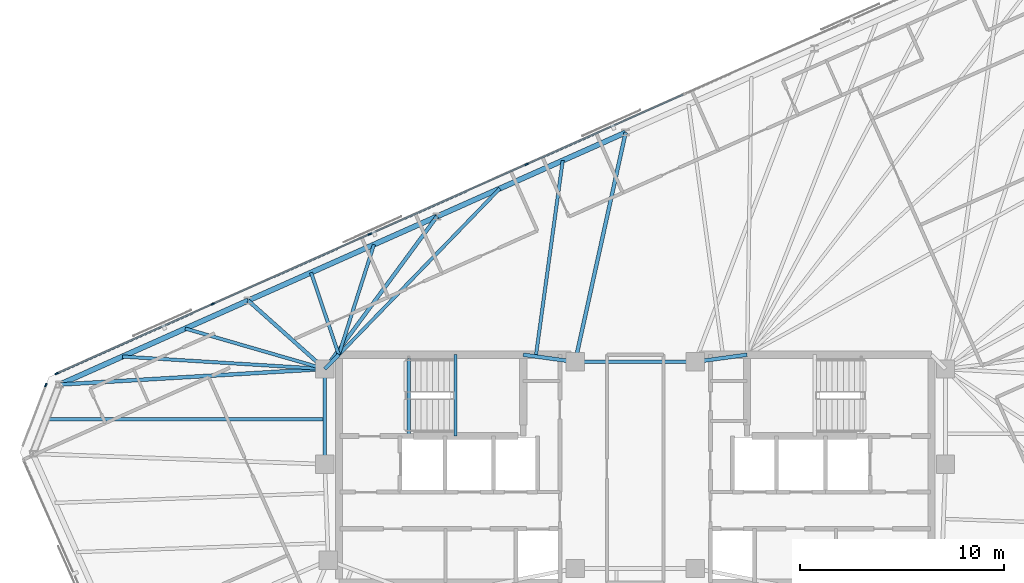
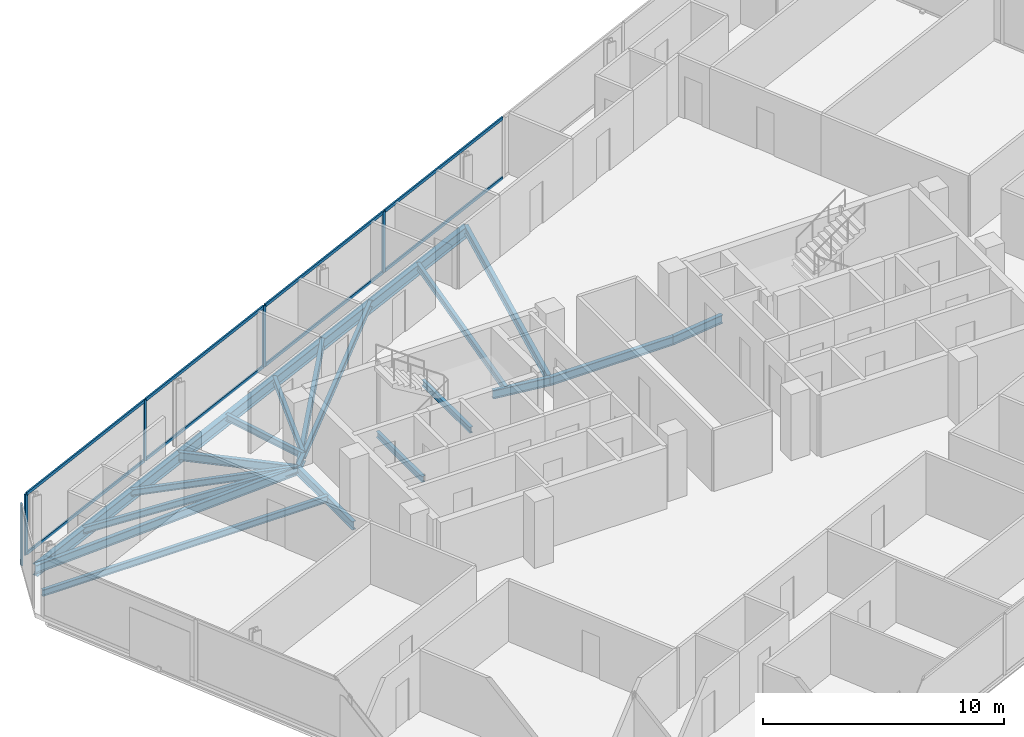
# One storey, part 9 of 18: 21 beams, 13 members, 2 elements without a shape of their own.
"""IFC4 building model written with IfcOpenShell, lengths in metres."""

from ifc_helpers import new_model, si_unit, direction, frame, origin, origin_2d, place, context, subcontext, project, spatial, rectangle, i_section, extrude, material, material_profile, profile_set, type_object, element, aggregate, save


model = new_model("IFC4")

# Units and contexts
model_context = context("Model", 3, precision=1e-05, world=origin(), true_north=direction((0.0, 1.0)))
body_context = subcontext(model_context, "Body", "Model", "MODEL_VIEW")
ifc_project = project(units=[si_unit("LENGTHUNIT", "METRE"), si_unit("AREAUNIT", "SQUARE_METRE"), si_unit("VOLUMEUNIT", "CUBIC_METRE"), si_unit("PLANEANGLEUNIT", "RADIAN"), si_unit("MASSUNIT", "GRAM", prefix="KILO")], contexts=[model_context])

# Site, building, storey
site_placement = place(None, origin())
site = spatial("IfcSite", under=ifc_project, at=site_placement, CompositionType="ELEMENT")
building_placement = place(site_placement, origin())
building = spatial("IfcBuilding", under=site, at=building_placement, Name="Menara Jurai Vektor", CompositionType="ELEMENT")
storey_placement = place(building_placement, frame((0.0, 0.0, 272.25)))
storey = spatial("IfcBuildingStorey", under=building, at=storey_placement, Name="L73", CompositionType="ELEMENT", Elevation=272.25)

# Curtain wall, members
ifc_material_1 = material(Name="Anodised Pale Aluminium & Low-E Double Glazing", Category="aluminium")
curtain_wall_type = type_object("IfcCurtainWallType", Name="CW-BLK5", PredefinedType="NOTDEFINED", material=ifc_material_1)
curtain_wall_1_placement = place(storey_placement, origin())
curtain_wall_1 = element("IfcCurtainWall", 1, at=curtain_wall_1_placement, inside=storey, type_object=curtain_wall_type, Name="Unitised Curtain Wall L73 F05", PredefinedType="NOTDEFINED")
ifc_material_2 = material(Name="Anodised Pale Aluminium Mullion", Category="aluminium")
ifc_material_profile_1 = material_profile(ifc_material_2, rectangle(XDim=0.074951171875, YDim=0.175048828125, at=origin_2d()), Name="ALU MUL 75x175")
ifc_profile_set_1 = profile_set([ifc_material_profile_1], Name="Anodised Pale Aluminium Mullion")
member_type_1 = type_object("IfcMemberType", Name="CW-BLK5-MUL", PredefinedType="MULLION", material=ifc_profile_set_1)
member_1_placement = place(storey_placement, frame((-5.327880859375, 14.957275390625, 0.0), z_axis=(0.0, 0.0, 1.0), x_axis=(0.406735498684, -0.913545967158, 0.0)))
member_1 = element("IfcMember", 2, at=member_1_placement, type_object=member_type_1, Name="CW-05 mullion 4", PredefinedType="MULLION", context=body_context, shape_type="SweptSolid", body=[
    extrude(rectangle(XDim=0.074951171875, YDim=0.175048828125, at=origin_2d()), origin(), (0.0, 0.0, 1.0), 3.10009765625),
])
member_2_placement = place(storey_placement, frame((-13.038330078125, 11.5244140625, 0.0), z_axis=(0.0, 0.0, 1.0), x_axis=(0.406735498684, -0.913545967158, 0.0)))
member_2 = element("IfcMember", 3, at=member_2_placement, type_object=member_type_1, Name="CW-05 mullion 5", PredefinedType="MULLION", context=body_context, shape_type="SweptSolid", body=[
    extrude(rectangle(XDim=0.074951171875, YDim=0.175048828125, at=origin_2d()), origin(), (0.0, 0.0, 1.0), 3.10009765625),
])
member_3_placement = place(storey_placement, frame((-20.748779296875, 8.091552734375, 0.0), z_axis=(0.0, 0.0, 1.0), x_axis=(0.406735498684, -0.913545967158, 0.0)))
member_3 = element("IfcMember", 4, at=member_3_placement, type_object=member_type_1, Name="CW-05 mullion 6", PredefinedType="MULLION", context=body_context, shape_type="SweptSolid", body=[
    extrude(rectangle(XDim=0.074951171875, YDim=0.175048828125, at=origin_2d()), origin(), (0.0, 0.0, 1.0), 3.10009765625),
])
member_4_placement = place(storey_placement, frame((-28.4248046875, 4.674072265625, 0.0), z_axis=(0.0, 0.0, 1.0), x_axis=(0.406735498684, -0.913545967158, 0.0)))
member_4 = element("IfcMember", 5, at=member_4_placement, type_object=member_type_1, Name="CW-05 mullion 7", PredefinedType="MULLION", context=body_context, shape_type="SweptSolid", body=[
    extrude(rectangle(XDim=0.074951171875, YDim=0.175048828125, at=origin_2d()), origin(), (0.0, 0.0, 1.0), 3.10009765625),
])

# Curtain wall, member
curtain_wall_2_placement = place(storey_placement, origin())
curtain_wall_2 = element("IfcCurtainWall", 6, at=curtain_wall_2_placement, inside=storey, type_object=curtain_wall_type, Name="Unitised Curtain Wall L73 F06", PredefinedType="NOTDEFINED")
member_5_placement = place(storey_placement, frame((-28.955810546875, 4.114501953125, 0.0), z_axis=(0.0, 0.0, 1.0), x_axis=(0.933578193639, -0.358373766287, 0.0)))
member_5 = element("IfcMember", 7, at=member_5_placement, type_object=member_type_1, Name="CW-05 mullion 1", PredefinedType="MULLION", context=body_context, shape_type="SweptSolid", body=[
    extrude(rectangle(XDim=0.074951171875, YDim=0.175048828125, at=origin_2d()), origin(), (0.0, 0.0, 1.0), 3.10009765625),
])
aggregate(curtain_wall_2, [member_5])

# Member
ifc_material_3 = material(Name="Anodised Pale Aluminium Transom", Category="aluminium")
ifc_material_profile_2 = material_profile(ifc_material_3, rectangle(XDim=0.074951171875, YDim=0.155029296875, at=origin_2d()), Name="ALU TRN 75x155")
ifc_profile_set_2 = profile_set([ifc_material_profile_2], Name="Anodised Pale Aluminium Transom")
member_type_2 = type_object("IfcMemberType", Name="CW-BLK5-TRN", PredefinedType="USERDEFINED", material=ifc_profile_set_2)
member_6_placement = place(storey_placement, frame((2.34814453125, 18.375, 0.03759765625), z_axis=(-0.913546575494, -0.406734132331, 0.0), x_axis=(0.406734132331, -0.913546575494, 0.0)))
member_6 = element("IfcMember", 8, at=member_6_placement, type_object=member_type_2, Name="CW-05 transom 3.1", ObjectType="TRANSOM", PredefinedType="USERDEFINED", context=body_context, shape_type="SweptSolid", body=[
    extrude(rectangle(XDim=0.074951171875, YDim=0.155029296875, at=origin_2d()), origin(), (0.0, 0.0, 1.0), 8.364990234375),
])

member_7_placement = place(storey_placement, frame((2.34814453125, 18.375, 3.0625), z_axis=(-0.913546575494, -0.406734132331, 0.0), x_axis=(0.406734132331, -0.913546575494, 0.0)))
member_7 = element("IfcMember", 9, at=member_7_placement, type_object=member_type_2, Name="CW-05 transom 3.2", ObjectType="TRANSOM", PredefinedType="USERDEFINED", context=body_context, shape_type="SweptSolid", body=[
    extrude(rectangle(XDim=0.074951171875, YDim=0.155029296875, at=origin_2d()), origin(), (0.0, 0.0, 1.0), 8.364990234375),
])

member_8_placement = place(storey_placement, frame((-5.3623046875, 14.942138671875, 0.03759765625), z_axis=(-0.913546575494, -0.406734132331, 0.0), x_axis=(0.406734132331, -0.913546575494, 0.0)))
member_8 = element("IfcMember", 10, at=member_8_placement, type_object=member_type_2, Name="CW-05 transom 4.1", ObjectType="TRANSOM", PredefinedType="USERDEFINED", context=body_context, shape_type="SweptSolid", body=[
    extrude(rectangle(XDim=0.074951171875, YDim=0.155029296875, at=origin_2d()), origin(), (0.0, 0.0, 1.0), 8.364990234375),
])

member_9_placement = place(storey_placement, frame((-5.3623046875, 14.942138671875, 3.0625), z_axis=(-0.913546575494, -0.406734132331, 0.0), x_axis=(0.406734132331, -0.913546575494, 0.0)))
member_9 = element("IfcMember", 11, at=member_9_placement, type_object=member_type_2, Name="CW-05 transom 4.2", ObjectType="TRANSOM", PredefinedType="USERDEFINED", context=body_context, shape_type="SweptSolid", body=[
    extrude(rectangle(XDim=0.074951171875, YDim=0.155029296875, at=origin_2d()), origin(), (0.0, 0.0, 1.0), 8.364990234375),
])

member_10_placement = place(storey_placement, frame((-13.072509765625, 11.50927734375, 0.03759765625), z_axis=(-0.913546575494, -0.406734132331, 0.0), x_axis=(0.406734132331, -0.913546575494, 0.0)))
member_10 = element("IfcMember", 12, at=member_10_placement, type_object=member_type_2, Name="CW-05 transom 5.1", ObjectType="TRANSOM", PredefinedType="USERDEFINED", context=body_context, shape_type="SweptSolid", body=[
    extrude(rectangle(XDim=0.074951171875, YDim=0.155029296875, at=origin_2d()), origin(), (0.0, 0.0, 1.0), 8.364990234375),
])

member_11_placement = place(storey_placement, frame((-13.072509765625, 11.50927734375, 3.0625), z_axis=(-0.913546575494, -0.406734132331, 0.0), x_axis=(0.406734132331, -0.913546575494, 0.0)))
member_11 = element("IfcMember", 13, at=member_11_placement, type_object=member_type_2, Name="CW-05 transom 5.2", ObjectType="TRANSOM", PredefinedType="USERDEFINED", context=body_context, shape_type="SweptSolid", body=[
    extrude(rectangle(XDim=0.074951171875, YDim=0.155029296875, at=origin_2d()), origin(), (0.0, 0.0, 1.0), 8.364990234375),
])

member_12_placement = place(storey_placement, frame((-20.782958984375, 8.076416015625, 0.03759765625), z_axis=(-0.91353811338, -0.406753138159, 0.0), x_axis=(0.406753138159, -0.91353811338, 0.0)))
member_12 = element("IfcMember", 14, at=member_12_placement, type_object=member_type_2, Name="CW-05 transom 6.1", ObjectType="TRANSOM", PredefinedType="USERDEFINED", context=body_context, shape_type="SweptSolid", body=[
    extrude(rectangle(XDim=0.074951171875, YDim=0.155029296875, at=origin_2d()), origin(), (0.0, 0.0, 1.0), 8.327392578125),
])

member_13_placement = place(storey_placement, frame((-20.782958984375, 8.076416015625, 3.0625), z_axis=(-0.91353811338, -0.406753138159, 0.0), x_axis=(0.406753138159, -0.91353811338, 0.0)))
member_13 = element("IfcMember", 15, at=member_13_placement, type_object=member_type_2, Name="CW-05 transom 6.2", ObjectType="TRANSOM", PredefinedType="USERDEFINED", context=body_context, shape_type="SweptSolid", body=[
    extrude(rectangle(XDim=0.074951171875, YDim=0.155029296875, at=origin_2d()), origin(), (0.0, 0.0, 1.0), 8.327392578125),
])

aggregate(curtain_wall_1, [member_1, member_2, member_3, member_4, member_6, member_7, member_8, member_9, member_10, member_11, member_12, member_13])

# Beams
ifc_material_4 = material(Name="Steel S355", Category="steel")
ifc_material_profile_3 = material_profile(ifc_material_4, i_section(OverallWidth=0.18505859375, OverallDepth=0.429931640625, WebThickness=0.010986328125, FlangeThickness=0.01806640625, at=origin_2d()), Name="PG 430x185x76")
ifc_profile_set_3 = profile_set([ifc_material_profile_3], Name="Steel S355")
beam_type_1 = type_object("IfcBeamType", Name="STR-BM-430", PredefinedType="BEAM", material=ifc_profile_set_3)
beam_1_placement = place(storey_placement, frame((-15.25, 4.89990234375, -0.43994140625), z_axis=(0.701871936926, 0.712303154672, 0.0), x_axis=(-0.712303154672, 0.701871936926, 0.0)))
element("IfcBeam", 16, at=beam_1_placement, inside=storey, type_object=beam_type_1, Name="Core Ring Header Girder L73-CHW-N1", PredefinedType="BEAM", context=body_context, shape_type="SweptSolid", body=[
    extrude(i_section(OverallWidth=0.18505859375, OverallDepth=0.429931640625, WebThickness=0.010986328125, FlangeThickness=0.01806640625, at=origin_2d()), origin(), (0.0, 0.0, 1.0), 0.98291015625),
])
beam_2_placement = place(storey_placement, frame((-5.5, 5.60009765625, -0.43994140625), z_axis=(0.990706818608, -0.136014703483, 0.0), x_axis=(0.136014703483, 0.990706818608, 0.0)))
element("IfcBeam", 17, at=beam_2_placement, inside=storey, type_object=beam_type_1, Name="Core Ring Header Girder L73-CHW-N2", PredefinedType="BEAM", context=body_context, shape_type="SweptSolid", body=[
    extrude(i_section(OverallWidth=0.18505859375, OverallDepth=0.429931640625, WebThickness=0.010986328125, FlangeThickness=0.01806640625, at=origin_2d()), origin(), (0.0, 0.0, 1.0), 2.573974609375),
])
beam_3_placement = place(storey_placement, frame((-15.25, 0.219970703125, -0.43994140625), z_axis=(0.0, 1.0, 0.0), x_axis=(-1.0, 0.0, 0.0)))
element("IfcBeam", 18, at=beam_3_placement, inside=storey, type_object=beam_type_1, Name="Core Ring Header Girder L73-CHW-W1", PredefinedType="BEAM", context=body_context, shape_type="SweptSolid", body=[
    extrude(i_section(OverallWidth=0.18505859375, OverallDepth=0.429931640625, WebThickness=0.010986328125, FlangeThickness=0.01806640625, at=origin_2d()), origin(), (0.0, 0.0, 1.0), 4.679931640625),
])
beam_4_placement = place(storey_placement, frame((2.949951171875, 5.25, -0.43994140625), z_axis=(0.990706818608, 0.136014703483, 0.0), x_axis=(-0.136014703483, 0.990706818608, 0.0)))
element("IfcBeam", 19, at=beam_4_placement, inside=storey, type_object=beam_type_1, Name="Core Ring Header Girder L73-CHE-N1", PredefinedType="BEAM", context=body_context, shape_type="SweptSolid", body=[
    extrude(i_section(OverallWidth=0.18505859375, OverallDepth=0.429931640625, WebThickness=0.010986328125, FlangeThickness=0.01806640625, at=origin_2d()), origin(), (0.0, 0.0, 1.0), 2.573974609375),
])
beam_5_placement = place(storey_placement, frame((-2.949951171875, 5.25, -0.43994140625), z_axis=(1.0, 0.0, 0.0), x_axis=(0.0, 1.0, 0.0)))
element("IfcBeam", 20, at=beam_5_placement, inside=storey, type_object=beam_type_1, Name="Core Ring Header Girder L73-CC-2", PredefinedType="BEAM", context=body_context, shape_type="SweptSolid", body=[
    extrude(i_section(OverallWidth=0.18505859375, OverallDepth=0.429931640625, WebThickness=0.010986328125, FlangeThickness=0.01806640625, at=origin_2d()), origin(), (0.0, 0.0, 1.0), 5.89990234375),
])
beam_6_placement = place(storey_placement, frame((-0.467529296875, 16.519287109375, -0.43994140625), z_axis=(-0.215124522255, -0.976586626943, 0.0), x_axis=(0.976586626943, -0.215124522255, 0.0)))
element("IfcBeam", 21, at=beam_6_placement, inside=storey, type_object=beam_type_1, Name="Radial Floor Girder L73-N3", PredefinedType="BEAM", context=body_context, shape_type="SweptSolid", body=[
    extrude(i_section(OverallWidth=0.18505859375, OverallDepth=0.429931640625, WebThickness=0.010986328125, FlangeThickness=0.01806640625, at=origin_2d()), origin(), (0.0, 0.0, 1.0), 11.53955078125),
])
beam_7_placement = place(storey_placement, frame((-9.740966796875, 12.390380859375, -0.43994140625), z_axis=(-0.592483178081, -0.805582822366, 0.0), x_axis=(0.805582822366, -0.592483178081, 0.0)))
element("IfcBeam", 22, at=beam_7_placement, inside=storey, type_object=beam_type_1, Name="Radial Floor Girder L73-N4", PredefinedType="BEAM", context=body_context, shape_type="SweptSolid", body=[
    extrude(i_section(OverallWidth=0.18505859375, OverallDepth=0.429931640625, WebThickness=0.010986328125, FlangeThickness=0.01806640625, at=origin_2d()), origin(), (0.0, 0.0, 1.0), 9.298095703125),
])
beam_8_placement = place(storey_placement, frame((-19.0146484375, 8.26171875, -0.43994140625), z_axis=(0.745886163995, -0.666073442167, 0.0), x_axis=(0.666073442167, 0.745886163995, 0.0)))
element("IfcBeam", 23, at=beam_8_placement, inside=storey, type_object=beam_type_1, Name="Radial Floor Girder L73-N5", PredefinedType="BEAM", context=body_context, shape_type="SweptSolid", body=[
    extrude(i_section(OverallWidth=0.18505859375, OverallDepth=0.429931640625, WebThickness=0.010986328125, FlangeThickness=0.01806640625, at=origin_2d()), origin(), (0.0, 0.0, 1.0), 5.047119140625),
])
beam_9_placement = place(storey_placement, frame((-28.2880859375, 4.1328125, -0.43994140625), z_axis=(0.998273728533, 0.058732979834, 0.0), x_axis=(-0.058732979834, 0.998273728533, 0.0)))
element("IfcBeam", 24, at=beam_9_placement, inside=storey, type_object=beam_type_1, Name="Radial Floor Girder L73-N6", PredefinedType="BEAM", context=body_context, shape_type="SweptSolid", body=[
    extrude(i_section(OverallWidth=0.18505859375, OverallDepth=0.429931640625, WebThickness=0.010986328125, FlangeThickness=0.01806640625, at=origin_2d()), origin(), (0.0, 0.0, 1.0), 13.060546875),
])
ifc_material_profile_4 = material_profile(ifc_material_4, i_section(OverallWidth=0.1650390625, OverallDepth=0.330078125, WebThickness=0.009033203125, FlangeThickness=0.013916015625, at=origin_2d()), Name="PG 330x165x46")
ifc_profile_set_4 = profile_set([ifc_material_profile_4], Name="Steel S355")
beam_type_2 = type_object("IfcBeamType", Name="STR-JS-330", PredefinedType="JOIST", material=ifc_profile_set_4)
beam_10_placement = place(storey_placement, frame((-3.55859375, 15.14306640625, -0.389892578125), z_axis=(-0.135981954601, -0.990711314169, 0.0), x_axis=(0.990711314169, -0.135981954601, 0.0)))
element("IfcBeam", 25, at=beam_10_placement, inside=storey, type_object=beam_type_2, Name="Radial Secondary Floor Joist L73-JS19", PredefinedType="JOIST", context=body_context, shape_type="SweptSolid", body=[
    extrude(i_section(OverallWidth=0.1650390625, OverallDepth=0.330078125, WebThickness=0.009033203125, FlangeThickness=0.013916015625, at=origin_2d()), origin(), (0.0, 0.0, 1.0), 9.718505859375),
])
beam_11_placement = place(storey_placement, frame((-6.64990234375, 13.766845703125, -0.389892578125), z_axis=(-0.695732556791, -0.718300918433, 0.0), x_axis=(0.718300918433, -0.695732556791, 0.0)))
element("IfcBeam", 26, at=beam_11_placement, inside=storey, type_object=beam_type_2, Name="Radial Secondary Floor Joist L73-JS20", PredefinedType="JOIST", context=body_context, shape_type="SweptSolid", body=[
    extrude(i_section(OverallWidth=0.1650390625, OverallDepth=0.330078125, WebThickness=0.009033203125, FlangeThickness=0.013916015625, at=origin_2d()), origin(), (0.0, 0.0, 1.0), 11.36962890625),
])
beam_12_placement = place(storey_placement, frame((-12.832275390625, 11.01416015625, -0.389892578125), z_axis=(-0.304022753529, -0.952664770702, 0.0), x_axis=(0.952664770702, -0.304022753529, 0.0)))
element("IfcBeam", 27, at=beam_12_placement, inside=storey, type_object=beam_type_2, Name="Radial Secondary Floor Joist L73-JS21", PredefinedType="JOIST", context=body_context, shape_type="SweptSolid", body=[
    extrude(i_section(OverallWidth=0.1650390625, OverallDepth=0.330078125, WebThickness=0.009033203125, FlangeThickness=0.013916015625, at=origin_2d()), origin(), (0.0, 0.0, 1.0), 5.68310546875),
])
beam_13_placement = place(storey_placement, frame((-15.92333984375, 9.637939453125, -0.389892578125), z_axis=(0.319885998438, -0.947456040143, 0.0), x_axis=(0.947456040143, 0.319885998438, 0.0)))
element("IfcBeam", 28, at=beam_13_placement, inside=storey, type_object=beam_type_2, Name="Radial Secondary Floor Joist L73-JS22", PredefinedType="JOIST", context=body_context, shape_type="SweptSolid", body=[
    extrude(i_section(OverallWidth=0.1650390625, OverallDepth=0.330078125, WebThickness=0.009033203125, FlangeThickness=0.013916015625, at=origin_2d()), origin(), (0.0, 0.0, 1.0), 4.26171875),
])
beam_14_placement = place(storey_placement, frame((-22.105712890625, 6.885498046875, -0.389892578125), z_axis=(0.960525066064, -0.278193453306, 0.0), x_axis=(0.278193453306, 0.960525066064, 0.0)))
element("IfcBeam", 29, at=beam_14_placement, inside=storey, type_object=beam_type_2, Name="Radial Secondary Floor Joist L73-JS23", PredefinedType="JOIST", context=body_context, shape_type="SweptSolid", body=[
    extrude(i_section(OverallWidth=0.1650390625, OverallDepth=0.330078125, WebThickness=0.009033203125, FlangeThickness=0.013916015625, at=origin_2d()), origin(), (0.0, 0.0, 1.0), 7.137451171875),
])
beam_15_placement = place(storey_placement, frame((-25.197021484375, 5.509033203125, -0.389892578125), z_axis=(0.998130240593, -0.061123013776, 0.0), x_axis=(0.061123013776, 0.998130240593, 0.0)))
element("IfcBeam", 30, at=beam_15_placement, inside=storey, type_object=beam_type_2, Name="Radial Secondary Floor Joist L73-JS24", PredefinedType="JOIST", context=body_context, shape_type="SweptSolid", body=[
    extrude(i_section(OverallWidth=0.1650390625, OverallDepth=0.330078125, WebThickness=0.009033203125, FlangeThickness=0.013916015625, at=origin_2d()), origin(), (0.0, 0.0, 1.0), 9.965576171875),
])
beam_16_placement = place(storey_placement, frame((-28.93994140625, 2.434814453125, -0.389892578125), z_axis=(1.0, 0.0, 0.0), x_axis=(0.0, 1.0, 0.0)))
element("IfcBeam", 31, at=beam_16_placement, inside=storey, type_object=beam_type_2, Name="Radial Secondary Floor Joist L73-JS25", PredefinedType="JOIST", context=body_context, shape_type="SweptSolid", body=[
    extrude(i_section(OverallWidth=0.1650390625, OverallDepth=0.330078125, WebThickness=0.009033203125, FlangeThickness=0.013916015625, at=origin_2d()), origin(), (0.0, 0.0, 1.0), 13.68994140625),
])
ifc_material_profile_5 = material_profile(ifc_material_4, i_section(OverallWidth=0.1650390625, OverallDepth=0.302978515625, WebThickness=0.006103515625, FlangeThickness=0.010009765625, FilletRadius=0.009033203125, at=origin_2d()), Name="UKB 305x165x40")
ifc_profile_set_5 = profile_set([ifc_material_profile_5], Name="Steel S355")
beam_type_3 = type_object("IfcBeamType", Name="STR-LN-305", PredefinedType="LINTEL", material=ifc_profile_set_5)
beam_17_placement = place(storey_placement, frame((-11.1201171875, 1.60009765625, -0.37646484375), z_axis=(0.0, 1.0, 0.0), x_axis=(-1.0, 0.0, 0.0)))
element("IfcBeam", 32, at=beam_17_placement, inside=storey, type_object=beam_type_3, Name="Stair Well Floor Trimmer ST1 L73", PredefinedType="LINTEL", context=body_context, shape_type="SweptSolid", body=[
    extrude(i_section(OverallWidth=0.1650390625, OverallDepth=0.302978515625, WebThickness=0.006103515625, FlangeThickness=0.010009765625, FilletRadius=0.009033203125, at=origin_2d()), origin(), (0.0, 0.0, 1.0), 3.81982421875),
])
beam_18_placement = place(storey_placement, frame((-8.830078125, 1.60009765625, 1.323486328125), z_axis=(0.0, 1.0, 0.0), x_axis=(-1.0, 0.0, 0.0)))
element("IfcBeam", 33, at=beam_18_placement, inside=storey, type_object=beam_type_3, Name="Stair Half-Landing Nosing Trimmer ST1-1 L73", PredefinedType="LINTEL", context=body_context, shape_type="SweptSolid", body=[
    extrude(i_section(OverallWidth=0.1650390625, OverallDepth=0.302978515625, WebThickness=0.006103515625, FlangeThickness=0.010009765625, FilletRadius=0.009033203125, at=origin_2d()), origin(), (0.0, 0.0, 1.0), 4.0),
])
ifc_material_profile_6 = material_profile(ifc_material_4, i_section(OverallWidth=0.260009765625, OverallDepth=0.570068359375, WebThickness=0.013916015625, FlangeThickness=0.02392578125, at=origin_2d()), Name="PG 570x260x145")
ifc_profile_set_6 = profile_set([ifc_material_profile_6], Name="Steel S355")
beam_type_4 = type_object("IfcBeamType", Name="STR-SP-570", PredefinedType="SPANDREL", material=ifc_profile_set_6)
for number, where, z_axis, x_axis, name in (
    (34, (-0.467529296875, 16.519287109375, -0.510009765625), (-0.913541582548, -0.406745346568, 0.0), (0.406745346568, -0.913541582548, 0.0), "Exoskeleton Spandrel Beam L73-13"),
    (35, (-9.740966796875, 12.390380859375, -0.510009765625), (-0.913554497648, -0.406716338284, 0.0), (0.406716338284, -0.913554497648, 0.0), "Exoskeleton Spandrel Beam L73-14"),
    (36, (-19.0146484375, 8.26171875, -0.510009765625), (-0.913541582548, -0.406745346568, 0.0), (0.406745346568, -0.913541582548, 0.0), "Exoskeleton Spandrel Beam L73-15"),
):
    element("IfcBeam", number, at=place(storey_placement, frame(where, z_axis=z_axis, x_axis=x_axis)), inside=storey, type_object=beam_type_4, Name=name, PredefinedType="SPANDREL", context=body_context, shape_type="SweptSolid", body=[
        extrude(i_section(OverallWidth=0.260009765625, OverallDepth=0.570068359375, WebThickness=0.013916015625, FlangeThickness=0.02392578125, at=origin_2d()), origin(), (0.0, 0.0, 1.0), 10.151123046875),
    ])

save(model, "model.ifc")
